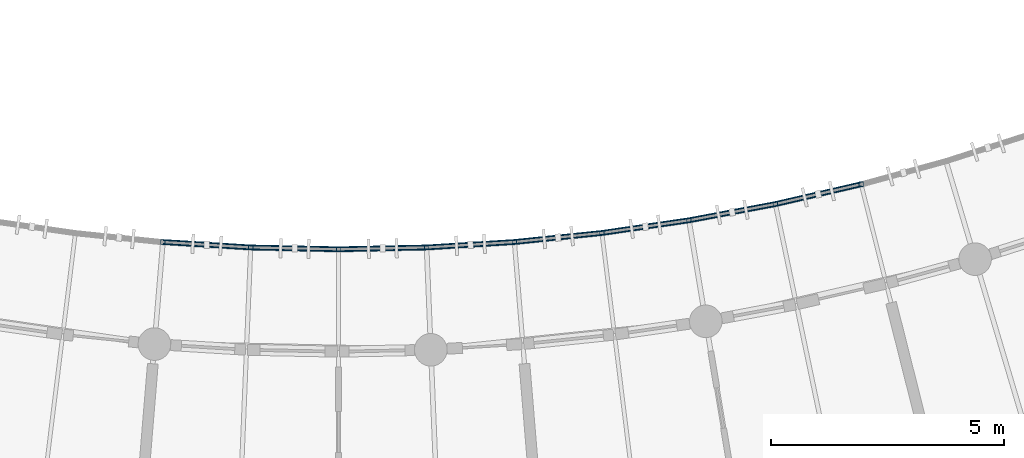
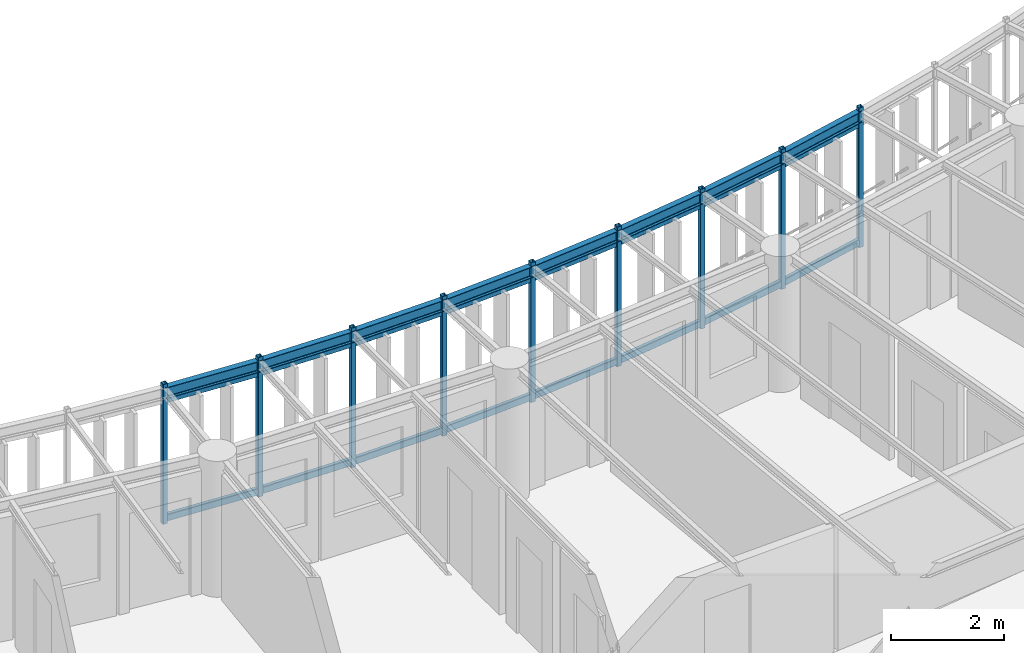
# One storey, part 30 of 137: 25 members, 8 beams.
"""IFC4 building model written with IfcOpenShell, lengths in metres."""

from ifc_helpers import new_model, si_unit, direction, frame, origin, origin_2d, place, context, subcontext, project, spatial, hollow_rectangle, i_section, extrude, material, material_profile, profile_set, type_object, element, save


model = new_model("IFC4")

# Units and contexts
model_context = context("Model", 3, precision=1e-05, world=origin(), true_north=direction((0.0, 1.0)))
body_context = subcontext(model_context, "Body", "Model", "MODEL_VIEW")
ifc_project = project(units=[si_unit("LENGTHUNIT", "METRE"), si_unit("AREAUNIT", "SQUARE_METRE"), si_unit("VOLUMEUNIT", "CUBIC_METRE"), si_unit("PLANEANGLEUNIT", "RADIAN"), si_unit("MASSUNIT", "GRAM", prefix="KILO"), si_unit("POWERUNIT", "WATT"), si_unit("THERMODYNAMICTEMPERATUREUNIT", "KELVIN")], contexts=[model_context])

# Site, building, storey
site_placement = place(None, origin())
site = spatial("IfcSite", under=ifc_project, at=site_placement, CompositionType="ELEMENT")
building_placement = place(site_placement, origin())
building = spatial("IfcBuilding", under=site, at=building_placement, Name="Ruvembo Vaulted Housing Court", CompositionType="ELEMENT")
storey_placement = place(building_placement, frame((0.0, 0.0, 4.5)))
storey = spatial("IfcBuildingStorey", under=building, at=storey_placement, Name="L01", CompositionType="ELEMENT", Elevation=4.5)

# Beams
ifc_material = material(Name="Steel S355J2", Category="steel")
ifc_material_profile_1 = material_profile(ifc_material, i_section(OverallWidth=0.1201171875, OverallDepth=0.239990234375, WebThickness=0.006103515625, FlangeThickness=0.009765625, FilletRadius=0.014892578125, at=origin_2d()), Name="IPE 240")
ifc_profile_set_1 = profile_set([ifc_material_profile_1], Name="Steel S355J2")
beam_type = type_object("IfcBeamType", Name="BM-ST-IPE240", PredefinedType="BEAM", material=ifc_profile_set_1)
beam_1_placement = place(storey_placement, frame((65.2255859375, 16.355712890625, 2.820068359375), z_axis=(0.998090110864, -0.061774837886, 0.0), x_axis=(0.061774837886, 0.998090110864, 0.0)))
element("IfcBeam", 1, at=beam_1_placement, inside=storey, type_object=beam_type, Name="Scoop SC2 L01 Balcony Edge Spandrel 12", PredefinedType="BEAM", context=body_context, shape_type="SweptSolid", body=[
    extrude(i_section(OverallWidth=0.1201171875, OverallDepth=0.239990234375, WebThickness=0.006103515625, FlangeThickness=0.009765625, FilletRadius=0.014892578125, at=origin_2d()), origin(), (0.0, 0.0, 1.0), 1.88916015625),
])
for number, where, z_axis, x_axis, name in (
    (2, (67.111083984375, 16.239013671875, 2.820068359375), (0.99978624046, -0.020675429556, 0.0), (0.020675429556, 0.99978624046, 0.0), "Scoop SC2 L01 Balcony Edge Spandrel 13"),
    (3, (69.0, 16.199951171875, 2.820068359375), (0.99978624046, 0.020675429556, 0.0), (-0.020675429556, 0.99978624046, 0.0), "Scoop SC2 L01 Balcony Edge Spandrel 14"),
):
    element("IfcBeam", number, at=place(storey_placement, frame(where, z_axis=z_axis, x_axis=x_axis)), inside=storey, type_object=beam_type, Name=name, PredefinedType="BEAM", context=body_context, shape_type="SweptSolid", body=[
        extrude(i_section(OverallWidth=0.1201171875, OverallDepth=0.239990234375, WebThickness=0.006103515625, FlangeThickness=0.009765625, FilletRadius=0.014892578125, at=origin_2d()), origin(), (0.0, 0.0, 1.0), 1.889404296875),
    ])
beam_2_placement = place(storey_placement, frame((70.888916015625, 16.239013671875, 2.820068359375), z_axis=(0.998090110864, 0.061774837886, 0.0), x_axis=(-0.061774837886, 0.998090110864, 0.0)))
element("IfcBeam", 4, at=beam_2_placement, inside=storey, type_object=beam_type, Name="Scoop SC2 L01 Balcony Edge Spandrel 15", PredefinedType="BEAM", context=body_context, shape_type="SweptSolid", body=[
    extrude(i_section(OverallWidth=0.1201171875, OverallDepth=0.239990234375, WebThickness=0.006103515625, FlangeThickness=0.009765625, FilletRadius=0.014892578125, at=origin_2d()), origin(), (0.0, 0.0, 1.0), 1.88916015625),
])
beam_3_placement = place(storey_placement, frame((72.7744140625, 16.355712890625, 2.820068359375), z_axis=(0.994683125416, 0.10298291127, 0.0), x_axis=(-0.10298291127, 0.994683125416, 0.0)))
element("IfcBeam", 5, at=beam_3_placement, inside=storey, type_object=beam_type, Name="Scoop SC2 L01 Balcony Edge Spandrel 16", PredefinedType="BEAM", context=body_context, shape_type="SweptSolid", body=[
    extrude(i_section(OverallWidth=0.1201171875, OverallDepth=0.239990234375, WebThickness=0.006103515625, FlangeThickness=0.009765625, FilletRadius=0.014892578125, at=origin_2d()), origin(), (0.0, 0.0, 1.0), 1.889404296875),
])
beam_4_placement = place(storey_placement, frame((74.65380859375, 16.55029296875, 2.820068359375), z_axis=(0.989600158039, 0.143845497701, 0.0), x_axis=(-0.143845497701, 0.989600158039, 0.0)))
element("IfcBeam", 6, at=beam_4_placement, inside=storey, type_object=beam_type, Name="Scoop SC2 L01 Balcony Edge Spandrel 17", PredefinedType="BEAM", context=body_context, shape_type="SweptSolid", body=[
    extrude(i_section(OverallWidth=0.1201171875, OverallDepth=0.239990234375, WebThickness=0.006103515625, FlangeThickness=0.009765625, FilletRadius=0.014892578125, at=origin_2d()), origin(), (0.0, 0.0, 1.0), 1.888916015625),
])
beam_5_placement = place(storey_placement, frame((76.523193359375, 16.822021484375, 2.820068359375), z_axis=(0.982804832401, 0.184647397515, 0.0), x_axis=(-0.184647397515, 0.982804832401, 0.0)))
element("IfcBeam", 7, at=beam_5_placement, inside=storey, type_object=beam_type, Name="Scoop SC2 L01 Balcony Edge Spandrel 18", PredefinedType="BEAM", context=body_context, shape_type="SweptSolid", body=[
    extrude(i_section(OverallWidth=0.1201171875, OverallDepth=0.239990234375, WebThickness=0.006103515625, FlangeThickness=0.009765625, FilletRadius=0.014892578125, at=origin_2d()), origin(), (0.0, 0.0, 1.0), 1.889404296875),
])
beam_6_placement = place(storey_placement, frame((78.380126953125, 17.1708984375, 2.820068359375), z_axis=(0.974391195695, 0.224859506699, 0.0), x_axis=(-0.224859506699, 0.974391195695, 0.0)))
element("IfcBeam", 8, at=beam_6_placement, inside=storey, type_object=beam_type, Name="Scoop SC2 L01 Balcony Edge Spandrel 19", PredefinedType="BEAM", context=body_context, shape_type="SweptSolid", body=[
    extrude(i_section(OverallWidth=0.1201171875, OverallDepth=0.239990234375, WebThickness=0.006103515625, FlangeThickness=0.009765625, FilletRadius=0.014892578125, at=origin_2d()), origin(), (0.0, 0.0, 1.0), 1.88916015625),
])

# Members
ifc_material_profile_2 = material_profile(ifc_material, hollow_rectangle(XDim=0.06005859375, YDim=0.1201171875, WallThickness=0.0048828125, InnerFilletRadius=0.0048828125, OuterFilletRadius=0.010009765625, at=origin_2d()), Name="RHS 120x60x5")
ifc_profile_set_2 = profile_set([ifc_material_profile_2], Name="Steel S355J2")
member_type_1 = type_object("IfcMemberType", Name="MEM-CAR-RHS120", PredefinedType="CHORD", material=ifc_profile_set_2)
member_1_placement = place(storey_placement, frame((65.2255859375, 16.355712890625, 2.64306640625), z_axis=(0.998090110864, -0.061774837886, 0.0), x_axis=(0.061774837886, 0.998090110864, 0.0)))
element("IfcMember", 9, at=member_1_placement, inside=storey, type_object=member_type_1, Name="Scoop SC2 L01 Upper Louvre Carrier Rail 12", PredefinedType="CHORD", context=body_context, shape_type="SweptSolid", body=[
    extrude(hollow_rectangle(XDim=0.06005859375, YDim=0.1201171875, WallThickness=0.0048828125, InnerFilletRadius=0.0048828125, OuterFilletRadius=0.010009765625, at=origin_2d()), origin(), (0.0, 0.0, 1.0), 1.88916015625),
])
for number, where, z_axis, x_axis, name in (
    (10, (67.111083984375, 16.239013671875, 2.64306640625), (0.99978624046, -0.020675429556, 0.0), (0.020675429556, 0.99978624046, 0.0), "Scoop SC2 L01 Upper Louvre Carrier Rail 13"),
    (11, (69.0, 16.199951171875, 2.64306640625), (0.99978624046, 0.020675429556, 0.0), (-0.020675429556, 0.99978624046, 0.0), "Scoop SC2 L01 Upper Louvre Carrier Rail 14"),
):
    element("IfcMember", number, at=place(storey_placement, frame(where, z_axis=z_axis, x_axis=x_axis)), inside=storey, type_object=member_type_1, Name=name, PredefinedType="CHORD", context=body_context, shape_type="SweptSolid", body=[
        extrude(hollow_rectangle(XDim=0.06005859375, YDim=0.1201171875, WallThickness=0.0048828125, InnerFilletRadius=0.0048828125, OuterFilletRadius=0.010009765625, at=origin_2d()), origin(), (0.0, 0.0, 1.0), 1.889404296875),
    ])
member_2_placement = place(storey_placement, frame((70.888916015625, 16.239013671875, 2.64306640625), z_axis=(0.998090110864, 0.061774837886, 0.0), x_axis=(-0.061774837886, 0.998090110864, 0.0)))
element("IfcMember", 12, at=member_2_placement, inside=storey, type_object=member_type_1, Name="Scoop SC2 L01 Upper Louvre Carrier Rail 15", PredefinedType="CHORD", context=body_context, shape_type="SweptSolid", body=[
    extrude(hollow_rectangle(XDim=0.06005859375, YDim=0.1201171875, WallThickness=0.0048828125, InnerFilletRadius=0.0048828125, OuterFilletRadius=0.010009765625, at=origin_2d()), origin(), (0.0, 0.0, 1.0), 1.88916015625),
])
member_3_placement = place(storey_placement, frame((72.7744140625, 16.355712890625, 2.64306640625), z_axis=(0.994683125416, 0.10298291127, 0.0), x_axis=(-0.10298291127, 0.994683125416, 0.0)))
element("IfcMember", 13, at=member_3_placement, inside=storey, type_object=member_type_1, Name="Scoop SC2 L01 Upper Louvre Carrier Rail 16", PredefinedType="CHORD", context=body_context, shape_type="SweptSolid", body=[
    extrude(hollow_rectangle(XDim=0.06005859375, YDim=0.1201171875, WallThickness=0.0048828125, InnerFilletRadius=0.0048828125, OuterFilletRadius=0.010009765625, at=origin_2d()), origin(), (0.0, 0.0, 1.0), 1.889404296875),
])
member_4_placement = place(storey_placement, frame((74.65380859375, 16.55029296875, 2.64306640625), z_axis=(0.989600158039, 0.143845497701, 0.0), x_axis=(-0.143845497701, 0.989600158039, 0.0)))
element("IfcMember", 14, at=member_4_placement, inside=storey, type_object=member_type_1, Name="Scoop SC2 L01 Upper Louvre Carrier Rail 17", PredefinedType="CHORD", context=body_context, shape_type="SweptSolid", body=[
    extrude(hollow_rectangle(XDim=0.06005859375, YDim=0.1201171875, WallThickness=0.0048828125, InnerFilletRadius=0.0048828125, OuterFilletRadius=0.010009765625, at=origin_2d()), origin(), (0.0, 0.0, 1.0), 1.888916015625),
])
member_5_placement = place(storey_placement, frame((76.523193359375, 16.822021484375, 2.64306640625), z_axis=(0.982804832401, 0.184647397515, 0.0), x_axis=(-0.184647397515, 0.982804832401, 0.0)))
element("IfcMember", 15, at=member_5_placement, inside=storey, type_object=member_type_1, Name="Scoop SC2 L01 Upper Louvre Carrier Rail 18", PredefinedType="CHORD", context=body_context, shape_type="SweptSolid", body=[
    extrude(hollow_rectangle(XDim=0.06005859375, YDim=0.1201171875, WallThickness=0.0048828125, InnerFilletRadius=0.0048828125, OuterFilletRadius=0.010009765625, at=origin_2d()), origin(), (0.0, 0.0, 1.0), 1.889404296875),
])
member_6_placement = place(storey_placement, frame((78.380126953125, 17.1708984375, 2.64306640625), z_axis=(0.974391195695, 0.224859506699, 0.0), x_axis=(-0.224859506699, 0.974391195695, 0.0)))
element("IfcMember", 16, at=member_6_placement, inside=storey, type_object=member_type_1, Name="Scoop SC2 L01 Upper Louvre Carrier Rail 19", PredefinedType="CHORD", context=body_context, shape_type="SweptSolid", body=[
    extrude(hollow_rectangle(XDim=0.06005859375, YDim=0.1201171875, WallThickness=0.0048828125, InnerFilletRadius=0.0048828125, OuterFilletRadius=0.010009765625, at=origin_2d()), origin(), (0.0, 0.0, 1.0), 1.88916015625),
])
ifc_material_profile_3 = material_profile(ifc_material, hollow_rectangle(XDim=0.080078125, YDim=0.14990234375, WallThickness=0.00634765625, InnerFilletRadius=0.00634765625, OuterFilletRadius=0.0126953125, at=origin_2d()), Name="RHS 150x80x6.3")
ifc_profile_set_3 = profile_set([ifc_material_profile_3], Name="Steel S355J2")
member_type_2 = type_object("IfcMemberType", Name="MEM-CAR-RHS150", PredefinedType="CHORD", material=ifc_profile_set_3)
member_7_placement = place(storey_placement, frame((65.2255859375, 16.355712890625, 0.094970703125), z_axis=(0.998090110864, -0.061774837886, 0.0), x_axis=(0.061774837886, 0.998090110864, 0.0)))
element("IfcMember", 17, at=member_7_placement, inside=storey, type_object=member_type_2, Name="Scoop SC2 L01 Lower Louvre Carrier Rail 12", PredefinedType="CHORD", context=body_context, shape_type="SweptSolid", body=[
    extrude(hollow_rectangle(XDim=0.080078125, YDim=0.14990234375, WallThickness=0.00634765625, InnerFilletRadius=0.00634765625, OuterFilletRadius=0.0126953125, at=origin_2d()), origin(), (0.0, 0.0, 1.0), 1.88916015625),
])
for number, where, z_axis, x_axis, name in (
    (18, (67.111083984375, 16.239013671875, 0.094970703125), (0.99978624046, -0.020675429556, 0.0), (0.020675429556, 0.99978624046, 0.0), "Scoop SC2 L01 Lower Louvre Carrier Rail 13"),
    (19, (69.0, 16.199951171875, 0.094970703125), (0.99978624046, 0.020675429556, 0.0), (-0.020675429556, 0.99978624046, 0.0), "Scoop SC2 L01 Lower Louvre Carrier Rail 14"),
):
    element("IfcMember", number, at=place(storey_placement, frame(where, z_axis=z_axis, x_axis=x_axis)), inside=storey, type_object=member_type_2, Name=name, PredefinedType="CHORD", context=body_context, shape_type="SweptSolid", body=[
        extrude(hollow_rectangle(XDim=0.080078125, YDim=0.14990234375, WallThickness=0.00634765625, InnerFilletRadius=0.00634765625, OuterFilletRadius=0.0126953125, at=origin_2d()), origin(), (0.0, 0.0, 1.0), 1.889404296875),
    ])
member_8_placement = place(storey_placement, frame((70.888916015625, 16.239013671875, 0.094970703125), z_axis=(0.998090110864, 0.061774837886, 0.0), x_axis=(-0.061774837886, 0.998090110864, 0.0)))
element("IfcMember", 20, at=member_8_placement, inside=storey, type_object=member_type_2, Name="Scoop SC2 L01 Lower Louvre Carrier Rail 15", PredefinedType="CHORD", context=body_context, shape_type="SweptSolid", body=[
    extrude(hollow_rectangle(XDim=0.080078125, YDim=0.14990234375, WallThickness=0.00634765625, InnerFilletRadius=0.00634765625, OuterFilletRadius=0.0126953125, at=origin_2d()), origin(), (0.0, 0.0, 1.0), 1.88916015625),
])
member_9_placement = place(storey_placement, frame((72.7744140625, 16.355712890625, 0.094970703125), z_axis=(0.994683125416, 0.10298291127, 0.0), x_axis=(-0.10298291127, 0.994683125416, 0.0)))
element("IfcMember", 21, at=member_9_placement, inside=storey, type_object=member_type_2, Name="Scoop SC2 L01 Lower Louvre Carrier Rail 16", PredefinedType="CHORD", context=body_context, shape_type="SweptSolid", body=[
    extrude(hollow_rectangle(XDim=0.080078125, YDim=0.14990234375, WallThickness=0.00634765625, InnerFilletRadius=0.00634765625, OuterFilletRadius=0.0126953125, at=origin_2d()), origin(), (0.0, 0.0, 1.0), 1.889404296875),
])
member_10_placement = place(storey_placement, frame((74.65380859375, 16.55029296875, 0.094970703125), z_axis=(0.989600158039, 0.143845497701, 0.0), x_axis=(-0.143845497701, 0.989600158039, 0.0)))
element("IfcMember", 22, at=member_10_placement, inside=storey, type_object=member_type_2, Name="Scoop SC2 L01 Lower Louvre Carrier Rail 17", PredefinedType="CHORD", context=body_context, shape_type="SweptSolid", body=[
    extrude(hollow_rectangle(XDim=0.080078125, YDim=0.14990234375, WallThickness=0.00634765625, InnerFilletRadius=0.00634765625, OuterFilletRadius=0.0126953125, at=origin_2d()), origin(), (0.0, 0.0, 1.0), 1.888916015625),
])
member_11_placement = place(storey_placement, frame((76.523193359375, 16.822021484375, 0.094970703125), z_axis=(0.982804832401, 0.184647397515, 0.0), x_axis=(-0.184647397515, 0.982804832401, 0.0)))
element("IfcMember", 23, at=member_11_placement, inside=storey, type_object=member_type_2, Name="Scoop SC2 L01 Lower Louvre Carrier Rail 18", PredefinedType="CHORD", context=body_context, shape_type="SweptSolid", body=[
    extrude(hollow_rectangle(XDim=0.080078125, YDim=0.14990234375, WallThickness=0.00634765625, InnerFilletRadius=0.00634765625, OuterFilletRadius=0.0126953125, at=origin_2d()), origin(), (0.0, 0.0, 1.0), 1.889404296875),
])
member_12_placement = place(storey_placement, frame((78.380126953125, 17.1708984375, 0.094970703125), z_axis=(0.974391195695, 0.224859506699, 0.0), x_axis=(-0.224859506699, 0.974391195695, 0.0)))
element("IfcMember", 24, at=member_12_placement, inside=storey, type_object=member_type_2, Name="Scoop SC2 L01 Lower Louvre Carrier Rail 19", PredefinedType="CHORD", context=body_context, shape_type="SweptSolid", body=[
    extrude(hollow_rectangle(XDim=0.080078125, YDim=0.14990234375, WallThickness=0.00634765625, InnerFilletRadius=0.00634765625, OuterFilletRadius=0.0126953125, at=origin_2d()), origin(), (0.0, 0.0, 1.0), 1.88916015625),
])
ifc_material_profile_4 = material_profile(ifc_material, hollow_rectangle(XDim=0.10009765625, YDim=0.10009765625, WallThickness=0.00634765625, InnerFilletRadius=0.00634765625, OuterFilletRadius=0.0126953125, at=origin_2d()), Name="SHS 100x100x6.3")
ifc_profile_set_4 = profile_set([ifc_material_profile_4], Name="Steel S355J2")
member_type_3 = type_object("IfcMemberType", Name="MEM-FRM-SHS100", PredefinedType="STRUT", material=ifc_profile_set_4)
for number, where, z_axis, x_axis, name in (
    (25, (65.2255859375, 16.355712890625, -0.014892578125), (0.0, 0.0, 1.0), (1.0, 0.0, 0.0), "Scoop SC2 L01 Louvre Frame Post 12"),
    (26, (67.111083984375, 16.239013671875, -0.014892578125), (0.0, 0.0, 1.0), (1.0, 0.0, 0.0), "Scoop SC2 L01 Louvre Frame Post 13"),
    (27, (69.0, 16.199951171875, -0.014892578125), (0.0, 0.0, 1.0), (1.0, 0.0, 0.0), "Scoop SC2 L01 Louvre Frame Post 14"),
    (28, (70.888916015625, 16.239013671875, -0.014892578125), (0.0, 0.0, 1.0), (1.0, 0.0, 0.0), "Scoop SC2 L01 Louvre Frame Post 15"),
    (29, (72.7744140625, 16.355712890625, -0.014892578125), (0.0, 0.0, 1.0), (1.0, 0.0, 0.0), "Scoop SC2 L01 Louvre Frame Post 16"),
    (30, (74.65380859375, 16.55029296875, -0.014892578125), (0.0, 0.0, 1.0), (1.0, 0.0, 0.0), "Scoop SC2 L01 Louvre Frame Post 17"),
    (31, (76.523193359375, 16.822021484375, -0.014892578125), (0.0, 0.0, 1.0), (1.0, 0.0, 0.0), "Scoop SC2 L01 Louvre Frame Post 18"),
    (32, (78.380126953125, 17.1708984375, -0.014892578125), (0.0, 0.0, 1.0), (1.0, 0.0, 0.0), "Scoop SC2 L01 Louvre Frame Post 19"),
    (33, (80.220947265625, 17.595703125, -0.014892578125), (0.0, 0.0, 1.0), (1.0, 0.0, 0.0), "Scoop SC2 L01 Louvre Frame Post 20"),
):
    element("IfcMember", number, at=place(storey_placement, frame(where, z_axis=z_axis, x_axis=x_axis)), inside=storey, type_object=member_type_3, Name=name, PredefinedType="STRUT", context=body_context, shape_type="SweptSolid", body=[
        extrude(hollow_rectangle(XDim=0.10009765625, YDim=0.10009765625, WallThickness=0.00634765625, InnerFilletRadius=0.00634765625, OuterFilletRadius=0.0126953125, at=origin_2d()), origin(), (0.0, 0.0, 1.0), 3.032958984375),
    ])

save(model, "model.ifc")
